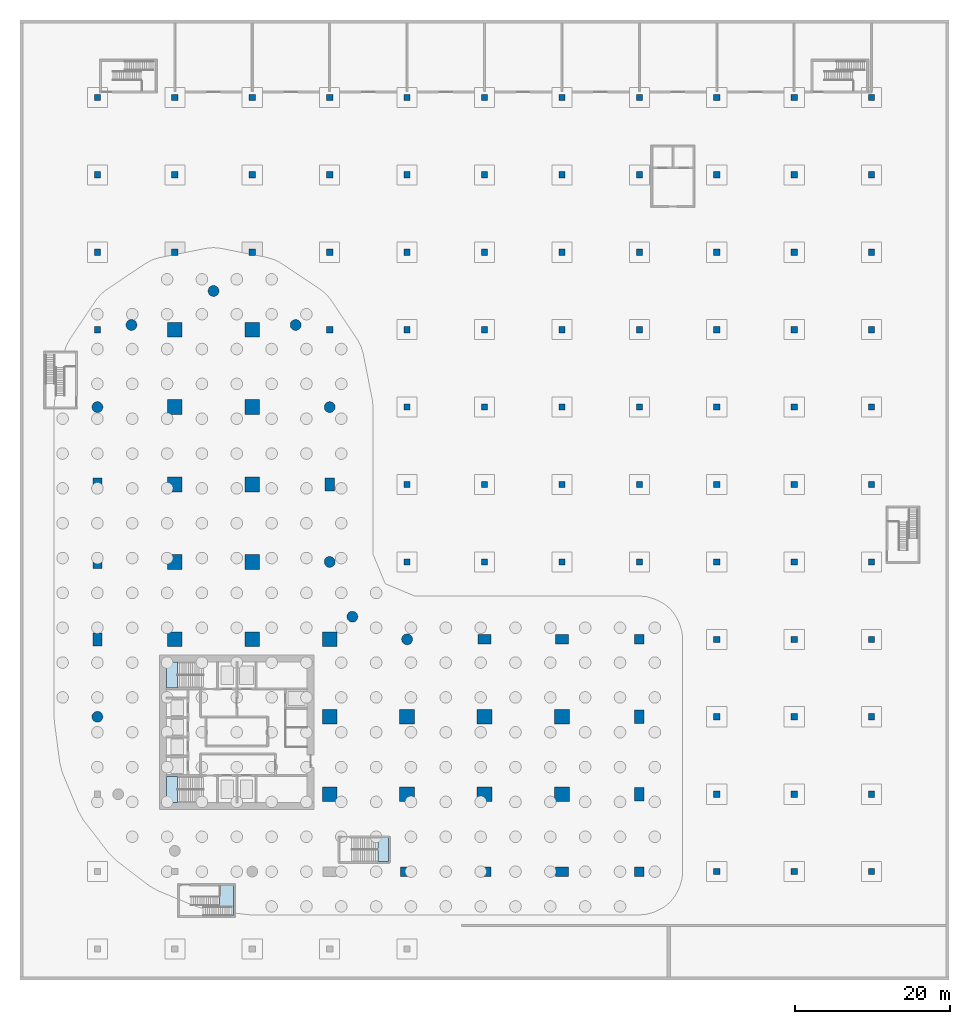
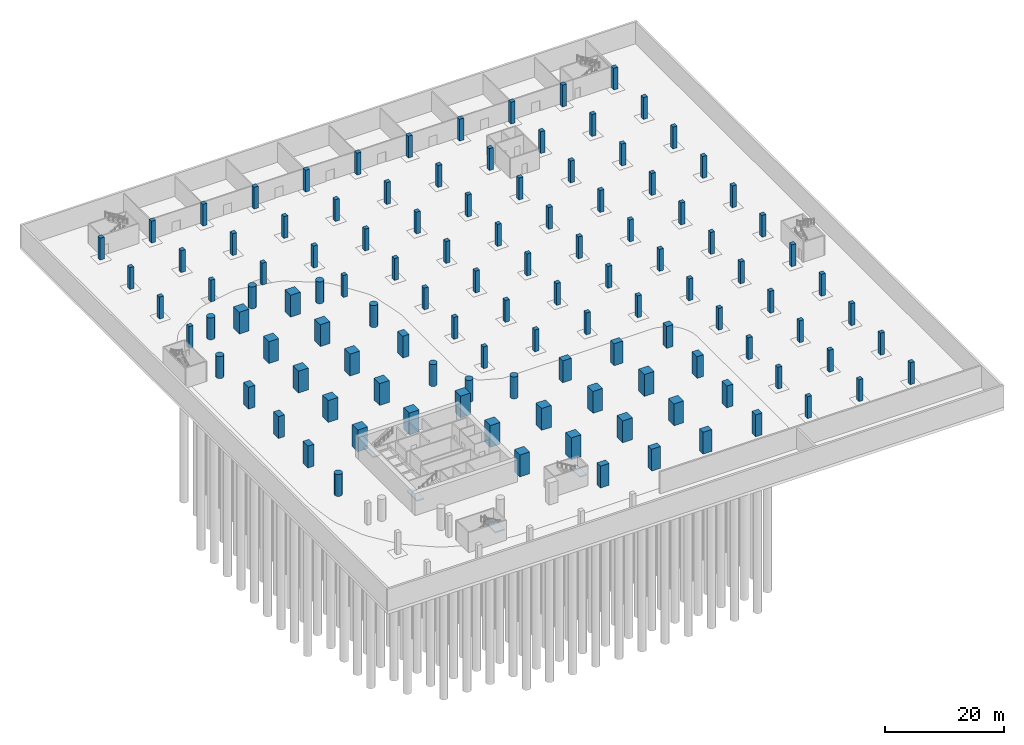
# One storey, part 3 of 19: 116 columns, 4 slabs, 4 elements without a shape of their own.
"""IFC4 building model written with IfcOpenShell, lengths in metres."""

from ifc_helpers import new_model, si_unit, direction, frame, origin, origin_2d, place, context, subcontext, project, spatial, polyline, rectangle, circle, outline, extrude, material, layer, layer_set, material_profile, profile_set, type_object, element, aggregate, save


model = new_model("IFC4")

# Units and contexts
model_context = context("Model", 3, precision=1e-05, world=origin(), true_north=direction((0.0, 1.0)))
body_context = subcontext(model_context, "Body", "Model", "MODEL_VIEW")
ifc_project = project(units=[si_unit("LENGTHUNIT", "METRE"), si_unit("AREAUNIT", "SQUARE_METRE"), si_unit("VOLUMEUNIT", "CUBIC_METRE"), si_unit("PLANEANGLEUNIT", "RADIAN"), si_unit("MASSUNIT", "GRAM", prefix="KILO")], contexts=[model_context])

# Site, building, storey
site_placement = place(None, origin())
site = spatial("IfcSite", under=ifc_project, at=site_placement, CompositionType="ELEMENT")
building_placement = place(site_placement, origin())
building = spatial("IfcBuilding", under=site, at=building_placement, Name="Qaws Garden Tower", CompositionType="ELEMENT")
storey_placement = place(building_placement, frame((0.0, 0.0, -9.0)))
storey = spatial("IfcBuildingStorey", under=building, at=storey_placement, Name="B2", CompositionType="ELEMENT", Elevation=-9.0)

# Columns
ifc_material_1 = material(Name="Concrete C80", Category="concrete")
ifc_material_profile_1 = material_profile(ifc_material_1, rectangle(XDim=1.25, YDim=1.25, at=origin_2d()), Name="RC 1250x1250")
ifc_profile_set_1 = profile_set([ifc_material_profile_1], Name="Concrete C80")
column_type_1 = type_object("IfcColumnType", Name="Column RC 1250x1250 C80", PredefinedType="COLUMN", material=ifc_profile_set_1)
for number, where, z_axis, x_axis, name in (
    (1, (70.0, 0.0, 0.0), (0.0, 0.0, 1.0), (1.0, 0.0, 0.0), "Column B2-006"),
    (2, (70.0, 30.0, 0.0), (0.0, 0.0, 1.0), (1.0, 0.0, 0.0), "Column B2-009"),
):
    element("IfcColumn", number, at=place(storey_placement, frame(where, z_axis=z_axis, x_axis=x_axis)), inside=storey, type_object=column_type_1, Name=name, PredefinedType="COLUMN", context=body_context, shape_type="SweptSolid", body=[
        extrude(rectangle(XDim=1.25, YDim=1.25, at=origin_2d()), origin(), (0.0, 0.0, 1.0), 4.5),
    ])
ifc_material_2 = material(Name="Concrete C80", Category="concrete")
ifc_material_profile_2 = material_profile(ifc_material_2, rectangle(XDim=1.699951171875, YDim=1.199951171875, at=origin_2d()), Name="RC 1700x1200")
ifc_profile_set_2 = profile_set([ifc_material_profile_2], Name="Concrete C80")
column_type_2 = type_object("IfcColumnType", Name="Column RC 1700x1200 C80", PredefinedType="COLUMN", material=ifc_profile_set_2)
for number, where, z_axis, x_axis, name in (
    (3, (40.0, 0.0, 0.0), (0.0, 0.0, 1.0), (1.0, 0.0, 0.0), "Column B2-003"),
    (4, (50.0, 0.0, 0.0), (0.0, 0.0, 1.0), (1.0, 0.0, 0.0), "Column B2-004"),
    (5, (60.0, 0.0, 0.0), (0.0, 0.0, 1.0), (1.0, 0.0, 0.0), "Column B2-005"),
    (6, (70.0, 10.0, 0.0), (0.0, 0.0, 1.0), (0.0, 1.0, 0.0), "Column B2-007"),
    (7, (70.0, 20.0, 0.0), (0.0, 0.0, 1.0), (0.0, 1.0, 0.0), "Column B2-008"),
    (8, (60.0, 30.0, 0.0), (0.0, 0.0, 1.0), (1.0, 0.0, 0.0), "Column B2-010"),
    (9, (50.0, 30.0, 0.0), (0.0, 0.0, 1.0), (1.0, 0.0, 0.0), "Column B2-011"),
    (10, (30.0, 50.0, 0.0), (0.0, 0.0, 1.0), (0.0, 1.0, 0.0), "Column B2-015"),
    (11, (0.0, 50.0, 0.0), (0.0, 0.0, 1.0), (0.0, 1.0, 0.0), "Column B2-021"),
    (12, (0.0, 40.0, 0.0), (0.0, 0.0, 1.0), (0.0, 1.0, 0.0), "Column B2-022"),
    (13, (0.0, 30.0, 0.0), (0.0, 0.0, 1.0), (0.0, 1.0, 0.0), "Column B2-023"),
):
    element("IfcColumn", number, at=place(storey_placement, frame(where, z_axis=z_axis, x_axis=x_axis)), inside=storey, type_object=column_type_2, Name=name, PredefinedType="COLUMN", context=body_context, shape_type="SweptSolid", body=[
        extrude(rectangle(XDim=1.699951171875, YDim=1.199951171875, at=origin_2d()), origin(), (0.0, 0.0, 1.0), 4.5),
    ])
ifc_material_3 = material(Name="Concrete C80", Category="concrete")
ifc_material_profile_3 = material_profile(ifc_material_3, rectangle(XDim=1.89990234375, YDim=1.89990234375, at=origin_2d()), Name="RC 1900x1900")
ifc_profile_set_3 = profile_set([ifc_material_profile_3], Name="Concrete C80")
column_type_3 = type_object("IfcColumnType", Name="Column RC 1900x1900 C80", PredefinedType="COLUMN", material=ifc_profile_set_3)
for number, where, z_axis, x_axis, name in (
    (14, (10.0, 30.0, 0.0), (0.0, 0.0, 1.0), (1.0, 0.0, 0.0), "Column B2-027"),
    (15, (10.0, 40.0, 0.0), (0.0, 0.0, 1.0), (1.0, 0.0, 0.0), "Column B2-028"),
    (16, (10.0, 50.0, 0.0), (0.0, 0.0, 1.0), (1.0, 0.0, 0.0), "Column B2-029"),
    (17, (10.0, 60.0, 0.0), (0.0, 0.0, 1.0), (1.0, 0.0, 0.0), "Column B2-030"),
    (18, (10.0, 70.0, 0.0), (0.0, 0.0, 1.0), (1.0, 0.0, 0.0), "Column B2-031"),
    (19, (20.0, 30.0, 0.0), (0.0, 0.0, 1.0), (1.0, 0.0, 0.0), "Column B2-032"),
    (20, (20.0, 40.0, 0.0), (0.0, 0.0, 1.0), (1.0, 0.0, 0.0), "Column B2-033"),
    (21, (20.0, 50.0, 0.0), (0.0, 0.0, 1.0), (1.0, 0.0, 0.0), "Column B2-034"),
    (22, (20.0, 60.0, 0.0), (0.0, 0.0, 1.0), (1.0, 0.0, 0.0), "Column B2-035"),
    (23, (20.0, 70.0, 0.0), (0.0, 0.0, 1.0), (1.0, 0.0, 0.0), "Column B2-036"),
    (24, (30.0, 10.0, 0.0), (0.0, 0.0, 1.0), (1.0, 0.0, 0.0), "Column B2-037"),
    (25, (30.0, 20.0, 0.0), (0.0, 0.0, 1.0), (1.0, 0.0, 0.0), "Column B2-038"),
    (26, (30.0, 30.0, 0.0), (0.0, 0.0, 1.0), (1.0, 0.0, 0.0), "Column B2-039"),
    (27, (40.0, 10.0, 0.0), (0.0, 0.0, 1.0), (1.0, 0.0, 0.0), "Column B2-040"),
    (28, (40.0, 20.0, 0.0), (0.0, 0.0, 1.0), (1.0, 0.0, 0.0), "Column B2-041"),
    (29, (50.0, 10.0, 0.0), (0.0, 0.0, 1.0), (1.0, 0.0, 0.0), "Column B2-042"),
    (30, (50.0, 20.0, 0.0), (0.0, 0.0, 1.0), (1.0, 0.0, 0.0), "Column B2-043"),
    (31, (60.0, 10.0, 0.0), (0.0, 0.0, 1.0), (1.0, 0.0, 0.0), "Column B2-044"),
    (32, (60.0, 20.0, 0.0), (0.0, 0.0, 1.0), (1.0, 0.0, 0.0), "Column B2-045"),
):
    element("IfcColumn", number, at=place(storey_placement, frame(where, z_axis=z_axis, x_axis=x_axis)), inside=storey, type_object=column_type_3, Name=name, PredefinedType="COLUMN", context=body_context, shape_type="SweptSolid", body=[
        extrude(rectangle(XDim=1.89990234375, YDim=1.89990234375, at=origin_2d()), origin(), (0.0, 0.0, 1.0), 4.5),
    ])
ifc_material_4 = material(Name="Concrete C80", Category="concrete")
ifc_material_profile_4 = material_profile(ifc_material_4, circle(Radius=0.699951171875, at=origin_2d()), Name="RC D1400")
ifc_profile_set_4 = profile_set([ifc_material_profile_4], Name="Concrete C80")
column_type_4 = type_object("IfcColumnType", Name="Column RC D1400 C80", PredefinedType="COLUMN", material=ifc_profile_set_4)
for number, where, z_axis, x_axis, name in (
    (33, (40.0, 30.0, 0.0), (0.0, 0.0, 1.0), (1.0, 0.0, 0.0), "Column B2-012"),
    (34, (32.928955078125, 32.928955078125, 0.0), (0.0, 0.0, 1.0), (1.0, 0.0, 0.0), "Column B2-013"),
    (35, (30.0, 40.0, 0.0), (0.0, 0.0, 1.0), (1.0, 0.0, 0.0), "Column B2-014"),
    (36, (30.0, 60.0, 0.0), (0.0, 0.0, 1.0), (1.0, 0.0, 0.0), "Column B2-016"),
    (37, (25.606689453125, 70.606689453125, 0.0), (0.0, 0.0, 1.0), (1.0, 0.0, 0.0), "Column B2-017"),
    (38, (15.0, 75.0, 0.0), (0.0, 0.0, 1.0), (1.0, 0.0, 0.0), "Column B2-018"),
    (39, (4.393310546875, 70.606689453125, 0.0), (0.0, 0.0, 1.0), (1.0, 0.0, 0.0), "Column B2-019"),
    (40, (0.0, 60.0, 0.0), (0.0, 0.0, 1.0), (1.0, 0.0, 0.0), "Column B2-020"),
    (41, (0.0, 20.0, 0.0), (0.0, 0.0, 1.0), (1.0, 0.0, 0.0), "Column B2-024"),
):
    element("IfcColumn", number, at=place(storey_placement, frame(where, z_axis=z_axis, x_axis=x_axis)), inside=storey, type_object=column_type_4, Name=name, PredefinedType="COLUMN", context=body_context, shape_type="SweptSolid", body=[
        extrude(circle(Radius=0.699951171875, at=origin_2d()), origin(), (0.0, 0.0, 1.0), 4.5),
    ])
ifc_material_5 = material(Name="Concrete C45 precast", Category="concrete")
ifc_material_profile_5 = material_profile(ifc_material_5, rectangle(XDim=0.800048828125, YDim=0.800048828125, at=origin_2d()), Name="PC1 column 800 x 800")
ifc_profile_set_5 = profile_set([ifc_material_profile_5], Name="Concrete C45 precast")
column_type_5 = type_object("IfcColumnType", Name="PC1 column 800 x 800", PredefinedType="COLUMN", material=ifc_profile_set_5)
for number, where, z_axis, x_axis, name in (
    (42, (0.0, 70.0, 0.0), (0.0, 0.0, 1.0), (1.0, 0.0, 0.0), "Column 4 B2"),
    (43, (0.0, 80.0, 0.0), (0.0, 0.0, 1.0), (1.0, 0.0, 0.0), "Column 5 B2"),
    (44, (0.0, 90.0, 0.0), (0.0, 0.0, 1.0), (1.0, 0.0, 0.0), "Column 6 B2"),
    (45, (0.0, 100.0, 0.0), (0.0, 0.0, 1.0), (1.0, 0.0, 0.0), "Column 7 B2"),
    (46, (10.0, 80.0, 0.0), (0.0, 0.0, 1.0), (1.0, 0.0, 0.0), "Column 10 B2"),
    (47, (10.0, 90.0, 0.0), (0.0, 0.0, 1.0), (1.0, 0.0, 0.0), "Column 11 B2"),
    (48, (10.0, 100.0, 0.0), (0.0, 0.0, 1.0), (1.0, 0.0, 0.0), "Column 12 B2"),
    (49, (20.0, 80.0, 0.0), (0.0, 0.0, 1.0), (1.0, 0.0, 0.0), "Column 14 B2"),
    (50, (20.0, 90.0, 0.0), (0.0, 0.0, 1.0), (1.0, 0.0, 0.0), "Column 15 B2"),
    (51, (20.0, 100.0, 0.0), (0.0, 0.0, 1.0), (1.0, 0.0, 0.0), "Column 16 B2"),
    (52, (30.0, 70.0, 0.0), (0.0, 0.0, 1.0), (1.0, 0.0, 0.0), "Column 18 B2"),
    (53, (30.0, 80.0, 0.0), (0.0, 0.0, 1.0), (1.0, 0.0, 0.0), "Column 19 B2"),
    (54, (30.0, 90.0, 0.0), (0.0, 0.0, 1.0), (1.0, 0.0, 0.0), "Column 20 B2"),
    (55, (30.0, 100.0, 0.0), (0.0, 0.0, 1.0), (1.0, 0.0, 0.0), "Column 21 B2"),
    (56, (40.0, 40.0, 0.0), (0.0, 0.0, 1.0), (1.0, 0.0, 0.0), "Column 23 B2"),
    (57, (40.0, 50.0, 0.0), (0.0, 0.0, 1.0), (1.0, 0.0, 0.0), "Column 24 B2"),
    (58, (40.0, 60.0, 0.0), (0.0, 0.0, 1.0), (1.0, 0.0, 0.0), "Column 25 B2"),
    (59, (40.0, 70.0, 0.0), (0.0, 0.0, 1.0), (1.0, 0.0, 0.0), "Column 26 B2"),
    (60, (40.0, 80.0, 0.0), (0.0, 0.0, 1.0), (1.0, 0.0, 0.0), "Column 27 B2"),
    (61, (40.0, 90.0, 0.0), (0.0, 0.0, 1.0), (1.0, 0.0, 0.0), "Column 28 B2"),
    (62, (40.0, 100.0, 0.0), (0.0, 0.0, 1.0), (1.0, 0.0, 0.0), "Column 29 B2"),
    (63, (50.0, 40.0, 0.0), (0.0, 0.0, 1.0), (1.0, 0.0, 0.0), "Column 30 B2"),
    (64, (50.0, 50.0, 0.0), (0.0, 0.0, 1.0), (1.0, 0.0, 0.0), "Column 31 B2"),
    (65, (50.0, 60.0, 0.0), (0.0, 0.0, 1.0), (1.0, 0.0, 0.0), "Column 32 B2"),
    (66, (50.0, 70.0, 0.0), (0.0, 0.0, 1.0), (1.0, 0.0, 0.0), "Column 33 B2"),
    (67, (50.0, 80.0, 0.0), (0.0, 0.0, 1.0), (1.0, 0.0, 0.0), "Column 34 B2"),
    (68, (50.0, 90.0, 0.0), (0.0, 0.0, 1.0), (1.0, 0.0, 0.0), "Column 35 B2"),
    (69, (50.0, 100.0, 0.0), (0.0, 0.0, 1.0), (1.0, 0.0, 0.0), "Column 36 B2"),
    (70, (60.0, 40.0, 0.0), (0.0, 0.0, 1.0), (1.0, 0.0, 0.0), "Column 37 B2"),
    (71, (60.0, 50.0, 0.0), (0.0, 0.0, 1.0), (1.0, 0.0, 0.0), "Column 38 B2"),
    (72, (60.0, 60.0, 0.0), (0.0, 0.0, 1.0), (1.0, 0.0, 0.0), "Column 39 B2"),
    (73, (60.0, 70.0, 0.0), (0.0, 0.0, 1.0), (1.0, 0.0, 0.0), "Column 40 B2"),
    (74, (60.0, 80.0, 0.0), (0.0, 0.0, 1.0), (1.0, 0.0, 0.0), "Column 41 B2"),
    (75, (60.0, 90.0, 0.0), (0.0, 0.0, 1.0), (1.0, 0.0, 0.0), "Column 42 B2"),
    (76, (60.0, 100.0, 0.0), (0.0, 0.0, 1.0), (1.0, 0.0, 0.0), "Column 43 B2"),
    (77, (70.0, 40.0, 0.0), (0.0, 0.0, 1.0), (1.0, 0.0, 0.0), "Column 44 B2"),
    (78, (70.0, 50.0, 0.0), (0.0, 0.0, 1.0), (1.0, 0.0, 0.0), "Column 45 B2"),
    (79, (70.0, 60.0, 0.0), (0.0, 0.0, 1.0), (1.0, 0.0, 0.0), "Column 46 B2"),
    (80, (70.0, 70.0, 0.0), (0.0, 0.0, 1.0), (1.0, 0.0, 0.0), "Column 47 B2"),
    (81, (70.0, 80.0, 0.0), (0.0, 0.0, 1.0), (1.0, 0.0, 0.0), "Column 48 B2"),
    (82, (70.0, 90.0, 0.0), (0.0, 0.0, 1.0), (1.0, 0.0, 0.0), "Column 49 B2"),
    (83, (70.0, 100.0, 0.0), (0.0, 0.0, 1.0), (1.0, 0.0, 0.0), "Column 50 B2"),
    (84, (80.0, 0.0, 0.0), (0.0, 0.0, 1.0), (1.0, 0.0, 0.0), "Column 51 B2"),
    (85, (80.0, 10.0, 0.0), (0.0, 0.0, 1.0), (1.0, 0.0, 0.0), "Column 52 B2"),
    (86, (80.0, 20.0, 0.0), (0.0, 0.0, 1.0), (1.0, 0.0, 0.0), "Column 53 B2"),
    (87, (80.0, 30.0, 0.0), (0.0, 0.0, 1.0), (1.0, 0.0, 0.0), "Column 54 B2"),
    (88, (80.0, 40.0, 0.0), (0.0, 0.0, 1.0), (1.0, 0.0, 0.0), "Column 55 B2"),
    (89, (80.0, 50.0, 0.0), (0.0, 0.0, 1.0), (1.0, 0.0, 0.0), "Column 56 B2"),
    (90, (80.0, 60.0, 0.0), (0.0, 0.0, 1.0), (1.0, 0.0, 0.0), "Column 57 B2"),
    (91, (80.0, 70.0, 0.0), (0.0, 0.0, 1.0), (1.0, 0.0, 0.0), "Column 58 B2"),
    (92, (80.0, 80.0, 0.0), (0.0, 0.0, 1.0), (1.0, 0.0, 0.0), "Column 59 B2"),
    (93, (80.0, 90.0, 0.0), (0.0, 0.0, 1.0), (1.0, 0.0, 0.0), "Column 60 B2"),
    (94, (80.0, 100.0, 0.0), (0.0, 0.0, 1.0), (1.0, 0.0, 0.0), "Column 61 B2"),
    (95, (90.0, 0.0, 0.0), (0.0, 0.0, 1.0), (1.0, 0.0, 0.0), "Column 62 B2"),
    (96, (90.0, 10.0, 0.0), (0.0, 0.0, 1.0), (1.0, 0.0, 0.0), "Column 63 B2"),
    (97, (90.0, 20.0, 0.0), (0.0, 0.0, 1.0), (1.0, 0.0, 0.0), "Column 64 B2"),
    (98, (90.0, 30.0, 0.0), (0.0, 0.0, 1.0), (1.0, 0.0, 0.0), "Column 65 B2"),
    (99, (90.0, 40.0, 0.0), (0.0, 0.0, 1.0), (1.0, 0.0, 0.0), "Column 66 B2"),
    (100, (90.0, 50.0, 0.0), (0.0, 0.0, 1.0), (1.0, 0.0, 0.0), "Column 67 B2"),
    (101, (90.0, 60.0, 0.0), (0.0, 0.0, 1.0), (1.0, 0.0, 0.0), "Column 68 B2"),
    (102, (90.0, 70.0, 0.0), (0.0, 0.0, 1.0), (1.0, 0.0, 0.0), "Column 69 B2"),
    (103, (90.0, 80.0, 0.0), (0.0, 0.0, 1.0), (1.0, 0.0, 0.0), "Column 70 B2"),
    (104, (90.0, 90.0, 0.0), (0.0, 0.0, 1.0), (1.0, 0.0, 0.0), "Column 71 B2"),
    (105, (90.0, 100.0, 0.0), (0.0, 0.0, 1.0), (1.0, 0.0, 0.0), "Column 72 B2"),
    (106, (100.0, 0.0, 0.0), (0.0, 0.0, 1.0), (1.0, 0.0, 0.0), "Column 73 B2"),
    (107, (100.0, 10.0, 0.0), (0.0, 0.0, 1.0), (1.0, 0.0, 0.0), "Column 74 B2"),
    (108, (100.0, 20.0, 0.0), (0.0, 0.0, 1.0), (1.0, 0.0, 0.0), "Column 75 B2"),
    (109, (100.0, 30.0, 0.0), (0.0, 0.0, 1.0), (1.0, 0.0, 0.0), "Column 76 B2"),
    (110, (100.0, 40.0, 0.0), (0.0, 0.0, 1.0), (1.0, 0.0, 0.0), "Column 77 B2"),
    (111, (100.0, 50.0, 0.0), (0.0, 0.0, 1.0), (1.0, 0.0, 0.0), "Column 78 B2"),
    (112, (100.0, 60.0, 0.0), (0.0, 0.0, 1.0), (1.0, 0.0, 0.0), "Column 79 B2"),
    (113, (100.0, 70.0, 0.0), (0.0, 0.0, 1.0), (1.0, 0.0, 0.0), "Column 80 B2"),
    (114, (100.0, 80.0, 0.0), (0.0, 0.0, 1.0), (1.0, 0.0, 0.0), "Column 81 B2"),
    (115, (100.0, 90.0, 0.0), (0.0, 0.0, 1.0), (1.0, 0.0, 0.0), "Column 82 B2"),
    (116, (100.0, 100.0, 0.0), (0.0, 0.0, 1.0), (1.0, 0.0, 0.0), "Column 83 B2"),
):
    element("IfcColumn", number, at=place(storey_placement, frame(where, z_axis=z_axis, x_axis=x_axis)), inside=storey, type_object=column_type_5, Name=name, PredefinedType="COLUMN", context=body_context, shape_type="SweptSolid", body=[
        extrude(rectangle(XDim=0.800048828125, YDim=0.800048828125, at=origin_2d()), origin(), (0.0, 0.0, 1.0), 4.5),
    ])

# Stair, slab
ifc_material_6 = material(Name="Concrete C40", Category="concrete")
stair_type_1 = type_object("IfcStairType", Name="Exit stair 1500", PredefinedType="HALF_TURN_STAIR", material=ifc_material_6)
placement_1 = place(storey_placement, origin())
stair_1 = element("IfcStair", 117, at=placement_1, inside=storey, type_object=stair_type_1, Name="Stair 1", PredefinedType="HALF_TURN_STAIR")
ifc_material_7 = material(Name="Concrete C40", Category="concrete")
ifc_layer_1 = layer(ifc_material_7, 0.199951171875)
ifc_layer_set_1 = layer_set([ifc_layer_1], Name="Concrete C40")
slab_type_1 = type_object("IfcSlabType", Name="Stair landing 200", PredefinedType="LANDING", material=ifc_layer_set_1)
placement_2 = place(storey_placement, frame((0.0, 0.0, 2.050048828125)))
slab_1 = element("IfcSlab", 118, at=placement_2, type_object=slab_type_1, Name="ST1 landing 1", PredefinedType="LANDING", context=body_context, shape_type="SweptSolid", body=[
    extrude(outline(polyline([(8.89990234375, 8.89990234375), (10.340087890625, 8.89990234375), (10.340087890625, 12.300048828125), (8.89990234375, 12.300048828125), (8.89990234375, 8.89990234375)])), origin(), (0.0, 0.0, 1.0), 0.199951171875),
])
aggregate(stair_1, [slab_1])

stair_2 = element("IfcStair", 119, at=placement_1, inside=storey, type_object=stair_type_1, Name="Stair 4", PredefinedType="HALF_TURN_STAIR")
slab_2 = element("IfcSlab", 120, at=placement_2, type_object=slab_type_1, Name="ST4 landing 1", PredefinedType="LANDING", context=body_context, shape_type="SweptSolid", body=[
    extrude(outline(polyline([(8.89990234375, 23.699951171875), (10.340087890625, 23.699951171875), (10.340087890625, 27.10009765625), (8.89990234375, 27.10009765625), (8.89990234375, 23.699951171875)])), origin(), (0.0, 0.0, 1.0), 0.199951171875),
])
aggregate(stair_2, [slab_2])

ifc_material_8 = material(Name="Concrete C40", Category="concrete")
stair_type_2 = type_object("IfcStairType", Name="Exit stair 1350", PredefinedType="HALF_TURN_STAIR", material=ifc_material_8)
stair_3 = element("IfcStair", 121, at=placement_1, inside=storey, type_object=stair_type_2, Name="Stair 5", PredefinedType="HALF_TURN_STAIR")
slab_3 = element("IfcSlab", 122, at=placement_2, type_object=slab_type_1, Name="ST5 landing 1", PredefinedType="LANDING", context=body_context, shape_type="SweptSolid", body=[
    extrude(outline(polyline([(36.2099609375, 1.300048828125), (37.60009765625, 1.300048828125), (37.60009765625, 4.39990234375), (36.2099609375, 4.39990234375), (36.2099609375, 1.300048828125)])), origin(), (0.0, 0.0, 1.0), 0.199951171875),
])
aggregate(stair_3, [slab_3])

ifc_material_9 = material(Name="Concrete C40", Category="concrete")
stair_type_3 = type_object("IfcStairType", Name="Basement exit stair 1200", PredefinedType="HALF_TURN_STAIR", material=ifc_material_9)
stair_4 = element("IfcStair", 123, at=placement_1, inside=storey, type_object=stair_type_3, Name="Exit stair S1 B2 to B1", PredefinedType="HALF_TURN_STAIR")
ifc_material_10 = material(Name="Concrete C40", Category="concrete")
ifc_layer_2 = layer(ifc_material_10, 0.25)
ifc_layer_set_2 = layer_set([ifc_layer_2], Name="Concrete C40")
slab_type_2 = type_object("IfcSlabType", Name="Stair landing 250", PredefinedType="LANDING", material=ifc_layer_set_2)
slab_4_placement = place(storey_placement, frame((0.0, 0.0, 2.0)))
slab_4 = element("IfcSlab", 124, at=slab_4_placement, type_object=slab_type_2, Name="PST2 landing 1", PredefinedType="LANDING", context=body_context, shape_type="SweptSolid", body=[
    extrude(outline(polyline([(15.739990234375, -1.800048828125), (17.60009765625, -1.800048828125), (17.60009765625, -5.699951171875), (15.739990234375, -5.699951171875), (15.739990234375, -1.800048828125)])), origin(), (0.0, 0.0, 1.0), 0.25),
])
aggregate(stair_4, [slab_4])

save(model, "model.ifc")
